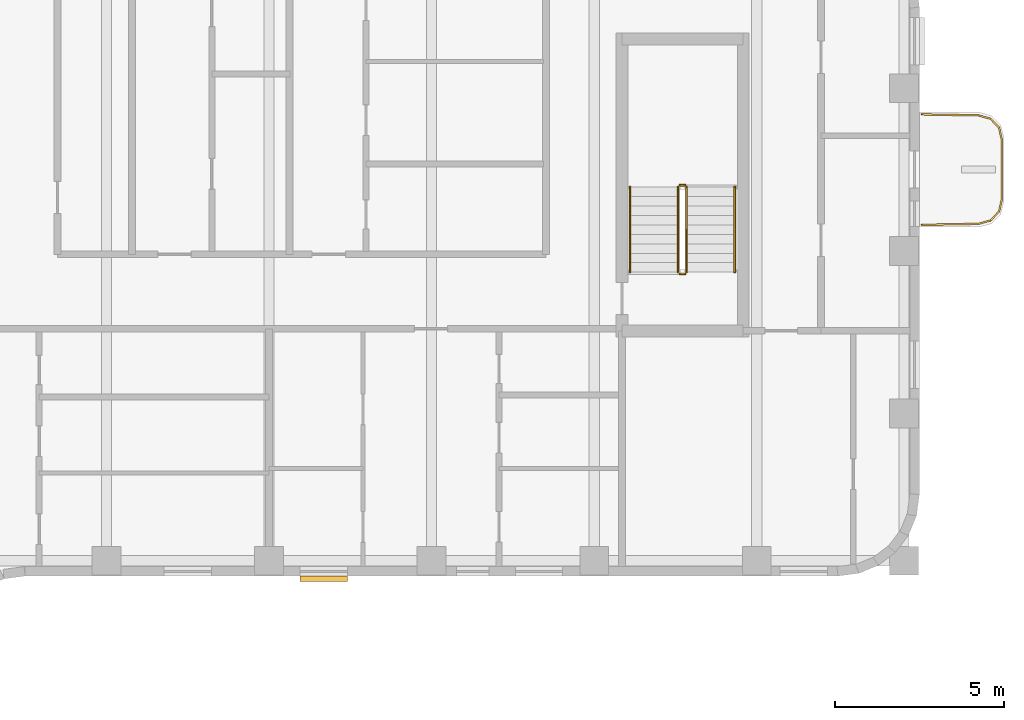
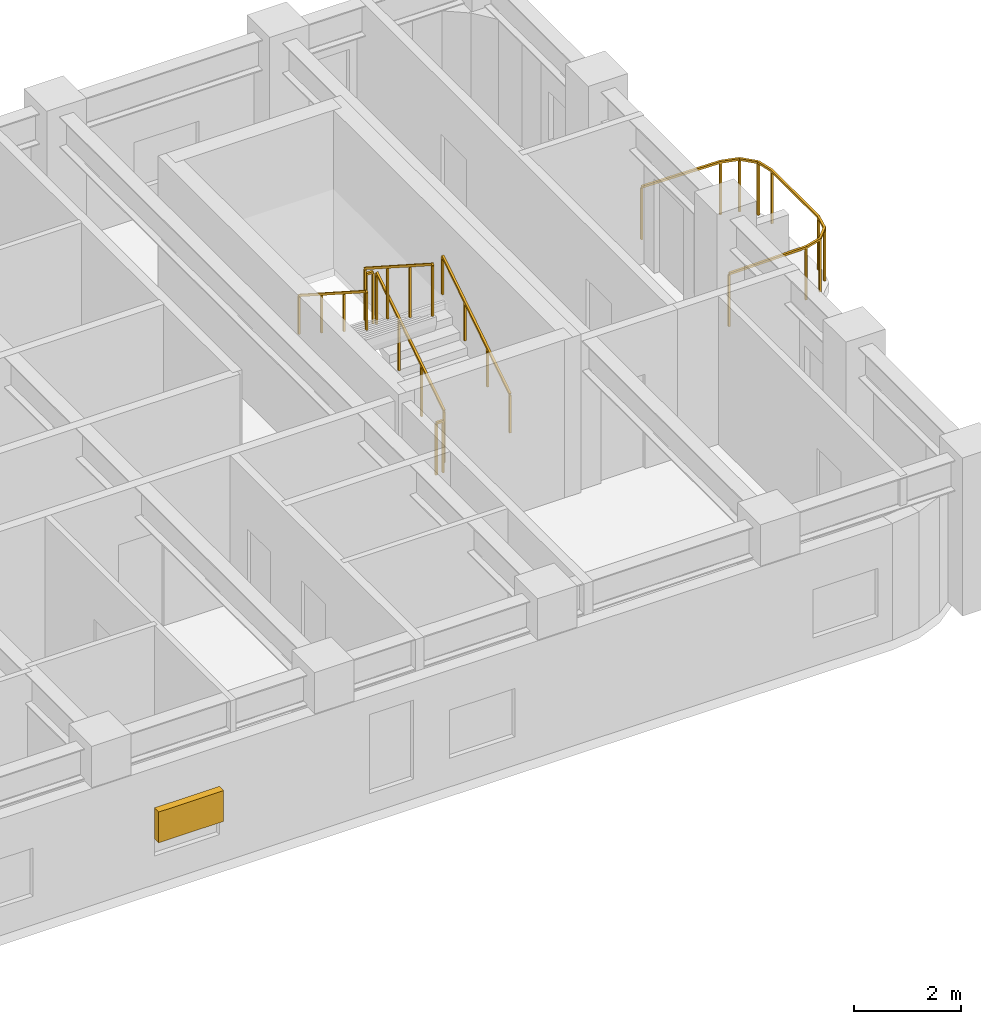
# One storey, part 9 of 10: 7 railings, 1 shading device.
"""IFC4 building model written with IfcOpenShell, lengths in metres."""

from ifc_helpers import new_model, si_unit, direction, frame, origin, origin_2d, place, context, subcontext, project, spatial, rectangle, extrude, material, type_object, element, save


model = new_model("IFC4")

# Units and contexts
model_context = context("Model", 3, precision=1e-05, world=origin(), true_north=direction((0.0, 1.0)))
body_context = subcontext(model_context, "Body", "Model", "MODEL_VIEW")
ifc_project = project(units=[si_unit("LENGTHUNIT", "METRE"), si_unit("AREAUNIT", "SQUARE_METRE"), si_unit("VOLUMEUNIT", "CUBIC_METRE"), si_unit("PLANEANGLEUNIT", "RADIAN"), si_unit("MASSUNIT", "GRAM", prefix="KILO")], contexts=[model_context])

# Site, building, storey
site_placement = place(None, origin())
site = spatial("IfcSite", under=ifc_project, at=site_placement, CompositionType="ELEMENT")
building_placement = place(site_placement, origin())
building = spatial("IfcBuilding", under=site, at=building_placement, Name="Orvandelia Arch Residences", CompositionType="ELEMENT")
storey_placement = place(building_placement, frame((0.0, 0.0, 218.199951171875)))
storey = spatial("IfcBuildingStorey", under=building, at=storey_placement, Name="L57", CompositionType="ELEMENT", Elevation=218.199951171875)

# Railings
ifc_material_1 = material(Name="Marine-Grade Stainless Steel 316", Category="steel")
railing_type_1 = type_object("IfcRailingType", Name="GRD-BAL-1200", PredefinedType="BALUSTRADE", material=ifc_material_1)
railing_1_placement = place(storey_placement, frame((52.871826171875, 39.169677734375, 0.0)))
element("IfcRailing", 1, at=railing_1_placement, inside=storey, type_object=railing_type_1, Name="Safety Balustrade Guard GRD-L57-BAL-L57-E1-1", PredefinedType="BALUSTRADE", context=body_context, shape_type="SweptSolid", body=[
    extrude(rectangle(XDim=0.048095703125, YDim=0.048095703125, at=origin_2d()), frame((0.0, 0.0, 1.19580078125), z_axis=(0.999837384468, 0.018033430643, 0.0), x_axis=(-0.018033430643, 0.999837384468, 0.0)), (0.0, 0.0, 1.0), 1.6787109375),
    extrude(rectangle(XDim=0.048095703125, YDim=0.048095703125, at=origin_2d()), frame((1.678466796875, 0.0302734375, 1.19580078125), z_axis=(0.96348920644, 0.267747173792, 0.0), x_axis=(-0.267747173792, 0.96348920644, 0.0)), (0.0, 0.0, 1.0), 0.36572265625),
    extrude(rectangle(XDim=0.048095703125, YDim=0.048095703125, at=origin_2d()), frame((2.03076171875, 0.128173828125, 1.19580078125), z_axis=(0.687947031175, 0.725760898848, 0.0), x_axis=(-0.725760898848, 0.687947031175, 0.0)), (0.0, 0.0, 1.0), 0.367919921875),
    extrude(rectangle(XDim=0.048095703125, YDim=0.048095703125, at=origin_2d()), frame((2.283935546875, 0.395263671875, 1.19580078125), z_axis=(0.221225034864, 0.975222786828, 0.0), x_axis=(-0.975222786828, 0.221225034864, 0.0)), (0.0, 0.0, 1.0), 0.373046875),
    extrude(rectangle(XDim=0.048095703125, YDim=0.048095703125, at=origin_2d()), frame((2.366455078125, 0.759033203125, 1.19580078125), z_axis=(0.0, 1.0, 0.0), x_axis=(-1.0, 0.0, 0.0)), (0.0, 0.0, 1.0), 1.74267578125),
    extrude(rectangle(XDim=0.048095703125, YDim=0.048095703125, at=origin_2d()), frame((2.366455078125, 2.501708984375, 1.19580078125), z_axis=(-0.221225034864, 0.975222786828, 0.0), x_axis=(-0.975222786828, -0.221225034864, 0.0)), (0.0, 0.0, 1.0), 0.373046875),
    extrude(rectangle(XDim=0.048095703125, YDim=0.048095703125, at=origin_2d()), frame((2.283935546875, 2.865478515625, 1.19580078125), z_axis=(-0.688278345278, 0.725446703364, 0.0), x_axis=(-0.725446703364, -0.688278345278, 0.0)), (0.0, 0.0, 1.0), 0.367919921875),
    extrude(rectangle(XDim=0.048095703125, YDim=0.048095703125, at=origin_2d()), frame((2.03076171875, 3.13232421875, 1.19580078125), z_axis=(-0.96348920644, 0.267747173792, 0.0), x_axis=(-0.267747173792, -0.96348920644, 0.0)), (0.0, 0.0, 1.0), 0.36572265625),
    extrude(rectangle(XDim=0.048095703125, YDim=0.048095703125, at=origin_2d()), frame((1.678466796875, 3.230224609375, 1.19580078125), z_axis=(-0.999834751713, 0.018178813668, 0.0), x_axis=(-0.018178813668, -0.999834751713, 0.0)), (0.0, 0.0, 1.0), 1.6787109375),
    extrude(rectangle(XDim=0.0419921875, YDim=0.0419921875, at=origin_2d()), origin(), (0.0, 0.0, 1.0), 1.171875),
    extrude(rectangle(XDim=0.0419921875, YDim=0.0419921875, at=origin_2d()), frame((1.678466796875, 0.0302734375, 0.0)), (0.0, 0.0, 1.0), 1.171875),
    extrude(rectangle(XDim=0.0419921875, YDim=0.0419921875, at=origin_2d()), frame((2.03076171875, 0.128173828125, 0.0)), (0.0, 0.0, 1.0), 1.171875),
    extrude(rectangle(XDim=0.0419921875, YDim=0.0419921875, at=origin_2d()), frame((2.283935546875, 0.395263671875, 0.0)), (0.0, 0.0, 1.0), 1.171875),
    extrude(rectangle(XDim=0.0419921875, YDim=0.0419921875, at=origin_2d()), frame((2.366455078125, 0.759033203125, 0.0)), (0.0, 0.0, 1.0), 1.171875),
    extrude(rectangle(XDim=0.0419921875, YDim=0.0419921875, at=origin_2d()), frame((2.366455078125, 2.501708984375, 0.0)), (0.0, 0.0, 1.0), 1.171875),
    extrude(rectangle(XDim=0.0419921875, YDim=0.0419921875, at=origin_2d()), frame((2.283935546875, 2.865478515625, 0.0)), (0.0, 0.0, 1.0), 1.171875),
    extrude(rectangle(XDim=0.0419921875, YDim=0.0419921875, at=origin_2d()), frame((2.03076171875, 3.13232421875, 0.0)), (0.0, 0.0, 1.0), 1.171875),
    extrude(rectangle(XDim=0.0419921875, YDim=0.0419921875, at=origin_2d()), frame((1.678466796875, 3.230224609375, 0.0)), (0.0, 0.0, 1.0), 1.171875),
    extrude(rectangle(XDim=0.0419921875, YDim=0.0419921875, at=origin_2d()), frame((0.0, 3.2607421875, 0.0)), (0.0, 0.0, 1.0), 1.171875),
])
ifc_material_2 = material(Name="Brushed Stainless Steel 304", Category="steel")
railing_type_2 = type_object("IfcRailingType", Name="RL-STAIR-GD1120", PredefinedType="GUARDRAIL", material=ifc_material_2)
railing_2_placement = place(storey_placement, frame((45.929931640625, 37.77001953125, 0.179931640625)))
element("IfcRailing", 2, at=railing_2_placement, inside=storey, type_object=railing_type_2, Name="L57 ST-3 stair guard 1", PredefinedType="GUARDRAIL", context=body_context, shape_type="SweptSolid", body=[
    extrude(rectangle(XDim=0.048095703125, YDim=0.048095703125, at=origin_2d()), frame((0.0, 0.0, 1.17578125), z_axis=(0.0, 0.841162588446, 0.540782303519), x_axis=(-1.0, 0.0, 0.0)), (0.0, 0.0, 1.0), 2.995849609375),
    extrude(rectangle(XDim=0.0419921875, YDim=0.0419921875, at=origin_2d()), origin(), (0.0, 0.0, 1.0), 1.15185546875),
    extrude(rectangle(XDim=0.0419921875, YDim=0.0419921875, at=origin_2d()), frame((0.0, 0.840087890625, 0.5400390625)), (0.0, 0.0, 1.0), 1.15185546875),
    extrude(rectangle(XDim=0.0419921875, YDim=0.0419921875, at=origin_2d()), frame((0.0, 1.679931640625, 1.080078125)), (0.0, 0.0, 1.0), 1.15185546875),
    extrude(rectangle(XDim=0.0419921875, YDim=0.0419921875, at=origin_2d()), frame((0.0, 2.52001953125, 1.6201171875)), (0.0, 0.0, 1.0), 1.15185546875),
])
railing_3_placement = place(storey_placement, frame((45.8798828125, 40.340087890625, 1.800048828125)))
element("IfcRailing", 3, at=railing_3_placement, inside=storey, type_object=railing_type_2, Name="L57 ST-3 stair guard 2", PredefinedType="GUARDRAIL", context=body_context, shape_type="SweptSolid", body=[
    extrude(rectangle(XDim=0.048095703125, YDim=0.048095703125, at=origin_2d()), frame((0.0, 0.0, 1.17578125), z_axis=(-1.0, 0.0, 0.0), x_axis=(0.0, -1.0, 0.0)), (0.0, 0.0, 1.0), 0.14990234375),
    extrude(rectangle(XDim=0.0419921875, YDim=0.0419921875, at=origin_2d()), origin(), (0.0, 0.0, 1.0), 1.15185546875),
    extrude(rectangle(XDim=0.0419921875, YDim=0.0419921875, at=origin_2d()), frame((-0.14990234375, 0.0, 0.0)), (0.0, 0.0, 1.0), 1.15185546875),
])
railing_4_placement = place(storey_placement, frame((45.679931640625, 40.2900390625, 1.97998046875)))
element("IfcRailing", 4, at=railing_4_placement, inside=storey, type_object=railing_type_2, Name="L57 ST-3 stair guard 3", PredefinedType="GUARDRAIL", context=body_context, shape_type="SweptSolid", body=[
    extrude(rectangle(XDim=0.048095703125, YDim=0.048095703125, at=origin_2d()), frame((0.0, 0.0, 1.17578125), z_axis=(0.0, -0.841162588446, 0.540782303519), x_axis=(1.0, 0.0, 0.0)), (0.0, 0.0, 1.0), 2.995849609375),
    extrude(rectangle(XDim=0.0419921875, YDim=0.0419921875, at=origin_2d()), origin(), (0.0, 0.0, 1.0), 1.15185546875),
    extrude(rectangle(XDim=0.0419921875, YDim=0.0419921875, at=origin_2d()), frame((0.0, -0.840087890625, 0.5400390625)), (0.0, 0.0, 1.0), 1.15185546875),
    extrude(rectangle(XDim=0.0419921875, YDim=0.0419921875, at=origin_2d()), frame((0.0, -1.679931640625, 1.080078125)), (0.0, 0.0, 1.0), 1.15185546875),
    extrude(rectangle(XDim=0.0419921875, YDim=0.0419921875, at=origin_2d()), frame((0.0, -2.52001953125, 1.6201171875)), (0.0, 0.0, 1.0), 1.15185546875),
])
railing_5_placement = place(storey_placement, frame((45.8798828125, 37.719970703125, 0.0)))
element("IfcRailing", 5, at=railing_5_placement, inside=storey, type_object=railing_type_2, Name="L57 ST-3 stair guard 4", PredefinedType="GUARDRAIL", context=body_context, shape_type="SweptSolid", body=[
    extrude(rectangle(XDim=0.048095703125, YDim=0.048095703125, at=origin_2d()), frame((0.0, 0.0, 1.17578125), z_axis=(-1.0, 0.0, 0.0), x_axis=(0.0, -1.0, 0.0)), (0.0, 0.0, 1.0), 0.14990234375),
    extrude(rectangle(XDim=0.0419921875, YDim=0.0419921875, at=origin_2d()), origin(), (0.0, 0.0, 1.0), 1.15185546875),
    extrude(rectangle(XDim=0.0419921875, YDim=0.0419921875, at=origin_2d()), frame((-0.14990234375, 0.0, 0.0)), (0.0, 0.0, 1.0), 1.15185546875),
])
railing_type_3 = type_object("IfcRailingType", Name="RL-STAIR-HR920", PredefinedType="HANDRAIL", material=ifc_material_2)
railing_6_placement = place(storey_placement, frame((47.35009765625, 37.77001953125, 0.360107421875)))
element("IfcRailing", 6, at=railing_6_placement, inside=storey, type_object=railing_type_3, Name="L57 ST-3 stair handrail 1", PredefinedType="HANDRAIL", context=body_context, shape_type="SweptSolid", body=[
    extrude(rectangle(XDim=0.048095703125, YDim=0.048095703125, at=origin_2d()), frame((0.0, 0.0, 0.8759765625), z_axis=(0.0, 0.841199657755, 0.540724639528), x_axis=(-1.0, 0.0, 0.0)), (0.0, 0.0, 1.0), 2.995849609375),
    extrude(rectangle(XDim=0.0419921875, YDim=0.0419921875, at=origin_2d()), origin(), (0.0, 0.0, 1.0), 0.851806640625),
    extrude(rectangle(XDim=0.0419921875, YDim=0.0419921875, at=origin_2d()), frame((0.0, 0.840087890625, 0.5400390625)), (0.0, 0.0, 1.0), 0.851806640625),
    extrude(rectangle(XDim=0.0419921875, YDim=0.0419921875, at=origin_2d()), frame((0.0, 1.679931640625, 1.079833984375)), (0.0, 0.0, 1.0), 0.851806640625),
    extrude(rectangle(XDim=0.0419921875, YDim=0.0419921875, at=origin_2d()), frame((0.0, 2.52001953125, 1.619873046875)), (0.0, 0.0, 1.0), 0.851806640625),
])
railing_7_placement = place(storey_placement, frame((44.260009765625, 40.2900390625, 2.16015625)))
element("IfcRailing", 7, at=railing_7_placement, inside=storey, type_object=railing_type_3, Name="L57 ST-3 stair handrail 2", PredefinedType="HANDRAIL", context=body_context, shape_type="SweptSolid", body=[
    extrude(rectangle(XDim=0.048095703125, YDim=0.048095703125, at=origin_2d()), frame((0.0, 0.0, 0.8759765625), z_axis=(0.0, -0.841199657755, 0.540724639528), x_axis=(1.0, 0.0, 0.0)), (0.0, 0.0, 1.0), 2.995849609375),
    extrude(rectangle(XDim=0.0419921875, YDim=0.0419921875, at=origin_2d()), origin(), (0.0, 0.0, 1.0), 0.851806640625),
    extrude(rectangle(XDim=0.0419921875, YDim=0.0419921875, at=origin_2d()), frame((0.0, -0.840087890625, 0.5400390625)), (0.0, 0.0, 1.0), 0.851806640625),
    extrude(rectangle(XDim=0.0419921875, YDim=0.0419921875, at=origin_2d()), frame((0.0, -1.679931640625, 1.079833984375)), (0.0, 0.0, 1.0), 0.851806640625),
    extrude(rectangle(XDim=0.0419921875, YDim=0.0419921875, at=origin_2d()), frame((0.0, -2.52001953125, 1.619873046875)), (0.0, 0.0, 1.0), 0.851806640625),
])

# Shading device
ifc_material_3 = material(Name="Anodised Champagne-Bronze Extruded Aluminium", Category="aluminium")
shading_device_type = type_object("IfcShadingDeviceType", Name="SHD-JALOUSIE-SCREEN", PredefinedType="JALOUSIE", material=ifc_material_3)
shading_device_placement = place(storey_placement, frame((35.2099609375, 28.719970703125, 1.05029296875), z_axis=(0.0, 0.0, 1.0), x_axis=(-1.0, 0.0, 0.0)))
element("IfcShadingDevice", 8, at=shading_device_placement, inside=storey, type_object=shading_device_type, Name="Bronze Jalousie Sun-Shade L57-005", PredefinedType="JALOUSIE", context=body_context, shape_type="SweptSolid", body=[
    extrude(rectangle(XDim=1.39990234375, YDim=0.159912109375, at=origin_2d()), origin(), (0.0, 0.0, 1.0), 0.699951171875),
])

save(model, "model.ifc")
